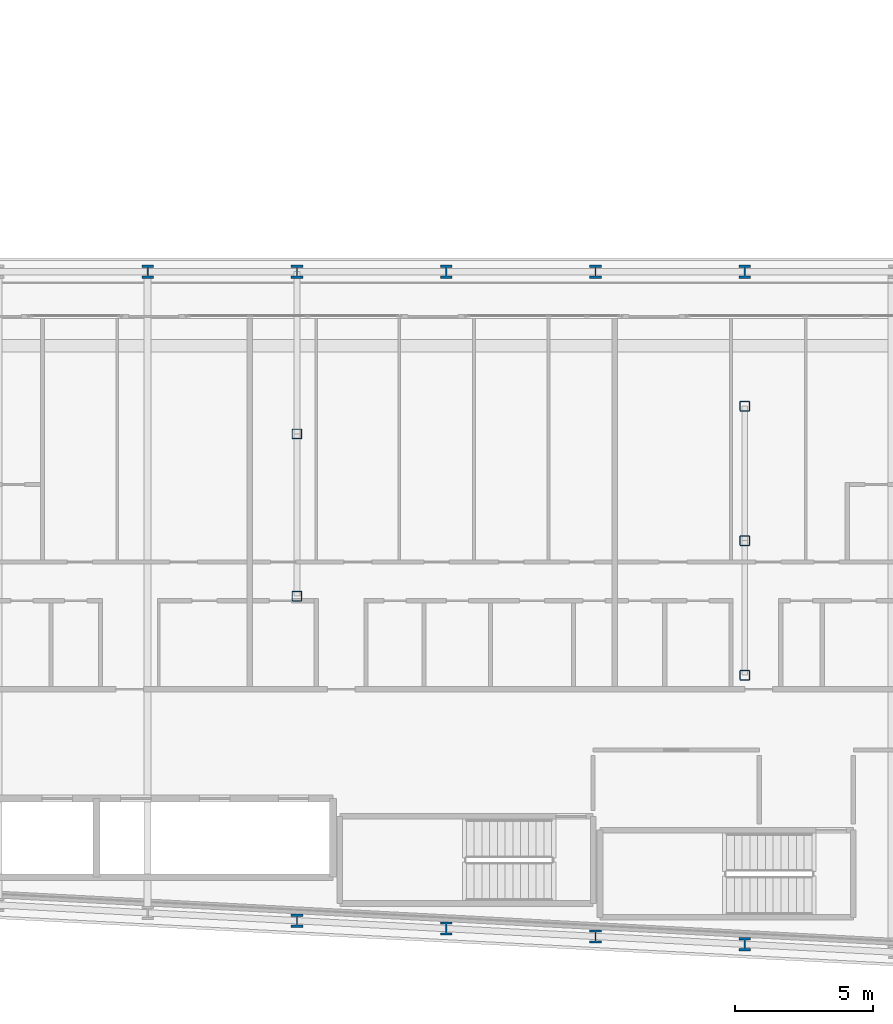
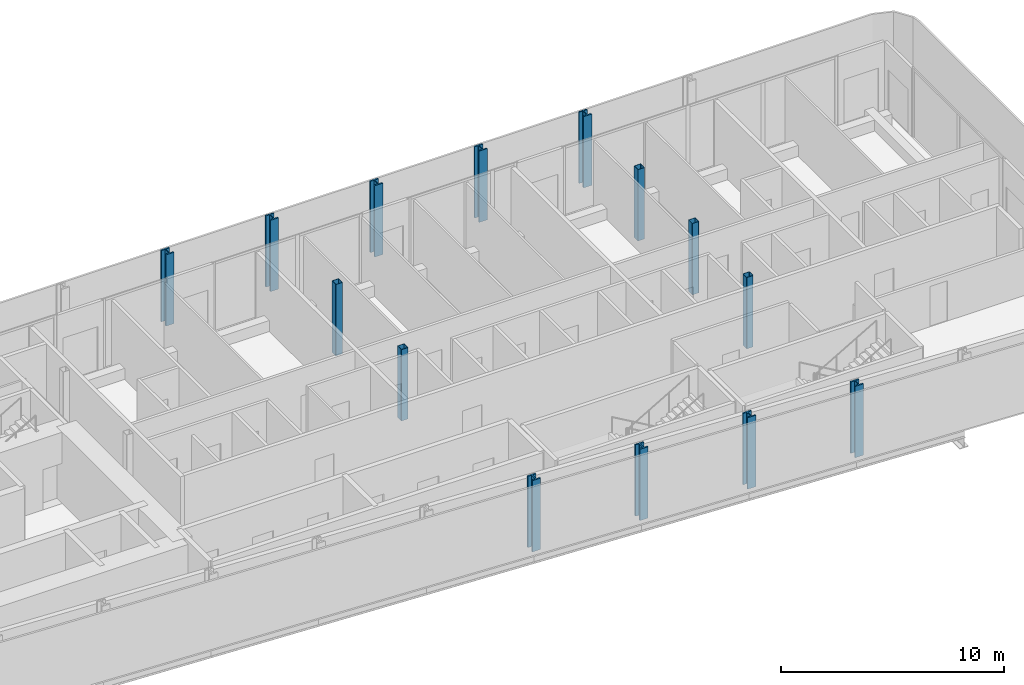
# One storey, part 2 of 28: 14 columns.
"""IFC4 building model written with IfcOpenShell, lengths in metres."""

from ifc_helpers import new_model, si_unit, direction, frame, origin, origin_2d, place, context, subcontext, project, spatial, hollow_rectangle, i_section, extrude, material, material_profile, profile_set, type_object, element, save


model = new_model("IFC4")

# Units and contexts
model_context = context("Model", 3, precision=1e-05, world=origin(), true_north=direction((0.0, 1.0)))
body_context = subcontext(model_context, "Body", "Model", "MODEL_VIEW")
ifc_project = project(units=[si_unit("LENGTHUNIT", "METRE"), si_unit("AREAUNIT", "SQUARE_METRE"), si_unit("VOLUMEUNIT", "CUBIC_METRE"), si_unit("PLANEANGLEUNIT", "RADIAN"), si_unit("MASSUNIT", "GRAM", prefix="KILO")], contexts=[model_context])

# Site, building, storey
site_placement = place(None, origin())
site = spatial("IfcSite", under=ifc_project, at=site_placement, CompositionType="ELEMENT")
building_placement = place(site_placement, origin())
building = spatial("IfcBuilding", under=site, at=building_placement, Name="Kheshtan School and Residences Tower", CompositionType="ELEMENT")
storey_placement = place(building_placement, frame((0.0, 0.0, 77.300048828125)))
storey = spatial("IfcBuildingStorey", under=building, at=storey_placement, Name="L18", CompositionType="ELEMENT", Elevation=77.300048828125)

# Columns
ifc_material_1 = material(Name="Steel ASTM A992 Grade 50", Category="steel")
ifc_material_profile_1 = material_profile(ifc_material_1, i_section(OverallWidth=0.424072265625, OverallDepth=0.47412109375, WebThickness=0.047607421875, FlangeThickness=0.0771484375, FilletRadius=0.01416015625, at=origin_2d()), Name="W360x634")
ifc_profile_set_1 = profile_set([ifc_material_profile_1], Name="Steel ASTM A992 Grade 50")
column_type_1 = type_object("IfcColumnType", Name="Column C1 W360x634 ASTM A992 Grade 50", PredefinedType="COLUMN", material=ifc_profile_set_1)
for number, where, z_axis, x_axis, name in (
    (1, (85.39990234375, 21.27392578125, 0.0), (0.0, 0.0, 1.0), (1.0, 0.0, 0.0), "Column C008"),
    (2, (80.0, 21.55810546875, 0.0), (0.0, 0.0, 1.0), (1.0, 0.0, 0.0), "Column C012"),
    (3, (74.60009765625, 21.843017578125, 0.0), (0.0, 0.0, 1.0), (1.0, 0.0, 0.0), "Column C013"),
    (4, (69.199951171875, 22.126953125, 0.0), (0.0, 0.0, 1.0), (1.0, 0.0, 0.0), "Column C014"),
    (5, (63.800048828125, 45.60009765625, 0.0), (0.0, 0.0, 1.0), (1.0, 0.0, 0.0), "Column C063"),
    (6, (69.199951171875, 45.60009765625, 0.0), (0.0, 0.0, 1.0), (1.0, 0.0, 0.0), "Column C064"),
    (7, (74.60009765625, 45.60009765625, 0.0), (0.0, 0.0, 1.0), (1.0, 0.0, 0.0), "Column C065"),
    (8, (80.0, 45.60009765625, 0.0), (0.0, 0.0, 1.0), (1.0, 0.0, 0.0), "Column C066"),
    (9, (85.39990234375, 45.60009765625, 0.0), (0.0, 0.0, 1.0), (1.0, 0.0, 0.0), "Column C067"),
):
    element("IfcColumn", number, at=place(storey_placement, frame(where, z_axis=z_axis, x_axis=x_axis)), inside=storey, type_object=column_type_1, Name=name, PredefinedType="COLUMN", context=body_context, shape_type="SweptSolid", body=[
        extrude(i_section(OverallWidth=0.424072265625, OverallDepth=0.47412109375, WebThickness=0.047607421875, FlangeThickness=0.0771484375, FilletRadius=0.01416015625, at=origin_2d()), origin(), (0.0, 0.0, 1.0), 3.89990234375),
    ])
ifc_material_2 = material(Name="Steel ASTM A500 Grade C", Category="steel")
ifc_material_profile_2 = material_profile(ifc_material_2, hollow_rectangle(XDim=0.35595703125, YDim=0.35595703125, WallThickness=0.015869140625, InnerFilletRadius=0.015869140625, OuterFilletRadius=0.03173828125, at=origin_2d()), Name="HSS 356x356x15.9")
ifc_profile_set_2 = profile_set([ifc_material_profile_2], Name="Steel ASTM A500 Grade C")
column_type_2 = type_object("IfcColumnType", Name="Column IC1 HSS 356x356x15.9 ASTM A500 Grade C", PredefinedType="COLUMN", material=ifc_profile_set_2)
for number, where, z_axis, x_axis, name in (
    (10, (85.39990234375, 31.0048828125, 0.0), (0.0, 0.0, 1.0), (1.0, 0.0, 0.0), "Column C049"),
    (11, (69.199951171875, 33.863037109375, 0.0), (0.0, 0.0, 1.0), (1.0, 0.0, 0.0), "Column C050"),
    (12, (85.39990234375, 35.8701171875, 0.0), (0.0, 0.0, 1.0), (1.0, 0.0, 0.0), "Column C053"),
    (13, (69.199951171875, 39.73193359375, 0.0), (0.0, 0.0, 1.0), (1.0, 0.0, 0.0), "Column C054"),
    (14, (85.39990234375, 40.735107421875, 0.0), (0.0, 0.0, 1.0), (1.0, 0.0, 0.0), "Column C057"),
):
    element("IfcColumn", number, at=place(storey_placement, frame(where, z_axis=z_axis, x_axis=x_axis)), inside=storey, type_object=column_type_2, Name=name, PredefinedType="COLUMN", context=body_context, shape_type="SweptSolid", body=[
        extrude(hollow_rectangle(XDim=0.35595703125, YDim=0.35595703125, WallThickness=0.015869140625, InnerFilletRadius=0.015869140625, OuterFilletRadius=0.03173828125, at=origin_2d()), origin(), (0.0, 0.0, 1.0), 3.89990234375),
    ])

save(model, "model.ifc")
